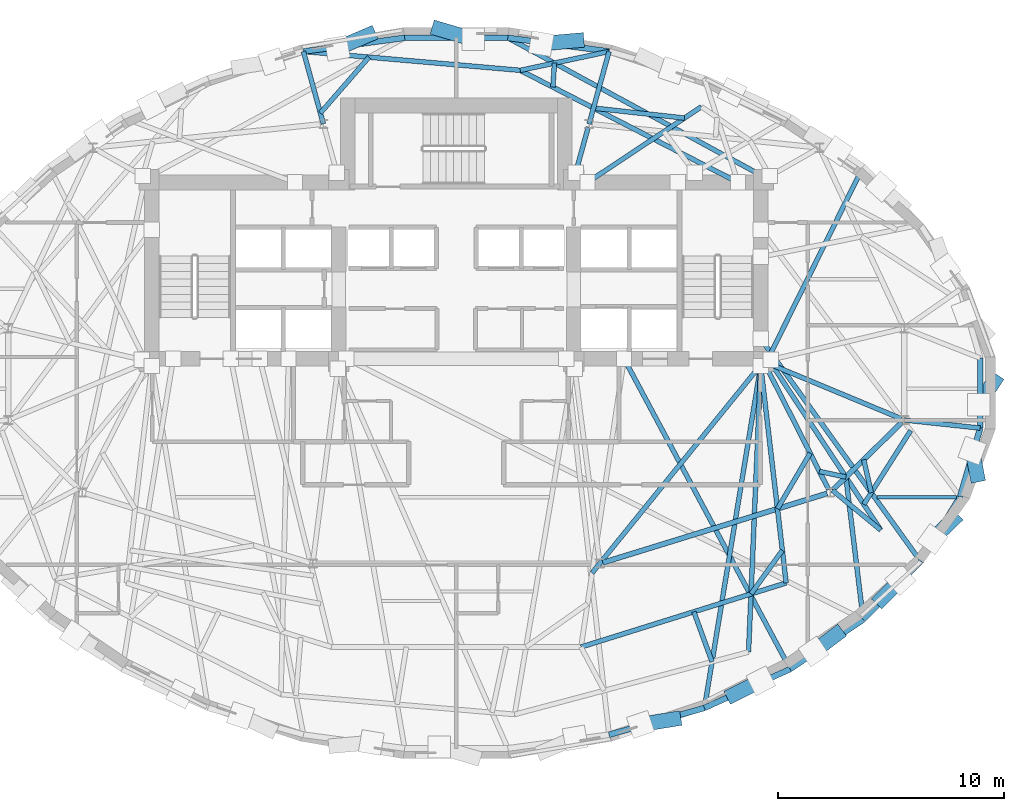
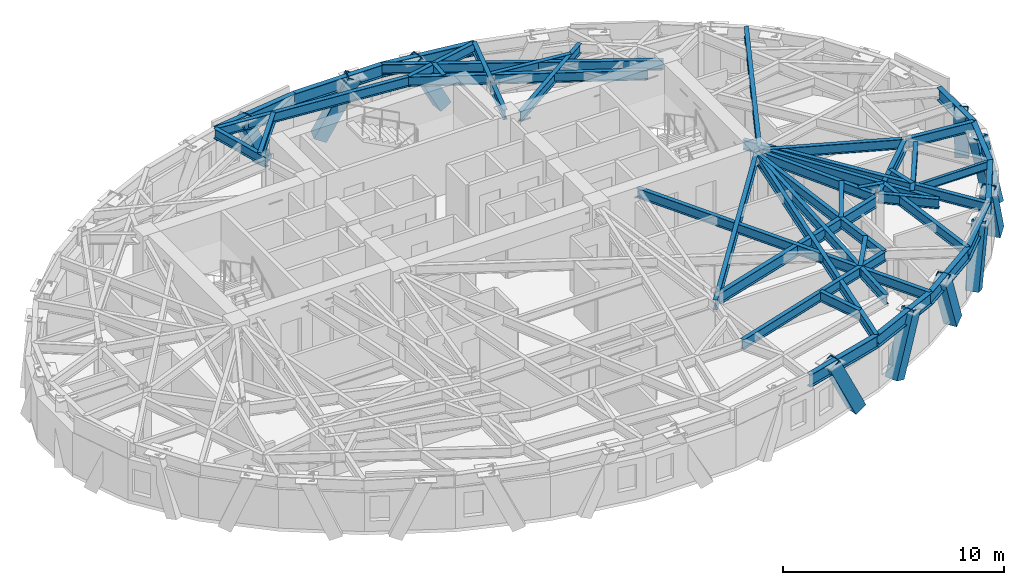
# One storey, part 3 of 12: 44 beams, 10 members.
"""IFC4 building model written with IfcOpenShell, lengths in metres."""

from ifc_helpers import new_model, si_unit, direction, frame, origin, origin_2d, place, context, subcontext, project, spatial, hollow_rectangle, i_section, extrude, material, material_profile, profile_set, type_object, element, save


model = new_model("IFC4")

# Units and contexts
model_context = context("Model", 3, precision=1e-05, world=origin(), true_north=direction((0.0, 1.0)))
body_context = subcontext(model_context, "Body", "Model", "MODEL_VIEW")
ifc_project = project(units=[si_unit("LENGTHUNIT", "METRE"), si_unit("AREAUNIT", "SQUARE_METRE"), si_unit("VOLUMEUNIT", "CUBIC_METRE"), si_unit("PLANEANGLEUNIT", "RADIAN"), si_unit("MASSUNIT", "GRAM", prefix="KILO")], contexts=[model_context])

# Site, building, storey
site_placement = place(None, origin())
site = spatial("IfcSite", under=ifc_project, at=site_placement, CompositionType="ELEMENT")
building_placement = place(site_placement, origin())
building = spatial("IfcBuilding", under=site, at=building_placement, Name="Keldmark Tower", CompositionType="ELEMENT")
storey_placement = place(building_placement, frame((0.0, 0.0, 198.199951171875)))
storey = spatial("IfcBuildingStorey", under=building, at=storey_placement, Name="L55", CompositionType="ELEMENT", Elevation=198.199951171875)

# Beam
ifc_material_1 = material(Name="Steel ASTM A992 Grade 50", Category="steel")
ifc_material_profile_1 = material_profile(ifc_material_1, i_section(OverallWidth=0.153076171875, OverallDepth=0.455078125, WebThickness=0.008056640625, FlangeThickness=0.01318359375, at=origin_2d()), Name="W18X40")
ifc_profile_set_1 = profile_set([ifc_material_profile_1], Name="Steel ASTM A992 Grade 50")
beam_type_1 = type_object("IfcBeamType", Name="Composite Floor Joist W18X40", PredefinedType="JOIST", material=ifc_profile_set_1)
beam_1_placement = place(storey_placement, frame((18.623779296875, -4.60009765625, 2.732666015625), z_axis=(1.0, 0.0, 0.0), x_axis=(0.0, 1.0, 0.0)))
element("IfcBeam", 1, at=beam_1_placement, inside=storey, type_object=beam_type_1, Name="L55 Composite Floor Joist J06", PredefinedType="JOIST", context=body_context, shape_type="SweptSolid", body=[
    extrude(i_section(OverallWidth=0.153076171875, OverallDepth=0.455078125, WebThickness=0.008056640625, FlangeThickness=0.01318359375, at=origin_2d()), origin(), (0.0, 0.0, 1.0), 3.5244140625),
])

# Members
ifc_material_2 = material(Name="Steel ASTM A572 Grade 50", Category="steel")
ifc_material_profile_2 = material_profile(ifc_material_2, hollow_rectangle(XDim=0.64990234375, YDim=0.64990234375, WallThickness=0.0400390625, at=origin_2d()), Name="BOX650X650X40")
ifc_profile_set_2 = profile_set([ifc_material_profile_2], Name="Steel ASTM A572 Grade 50")
member_type = type_object("IfcMemberType", Name="Diagrid Zone 3 Brace BOX650X650X40", PredefinedType="BRACE", material=ifc_profile_set_2)
member_1_placement = place(storey_placement, frame((5.36181640625, 15.60693359375, -0.260009765625), z_axis=(-0.45871670999, -0.040614813853, 0.887653883488), x_axis=(0.088195058336, -0.996103223409, 0.0)))
element("IfcMember", 2, at=member_1_placement, inside=storey, type_object=member_type, Name="L55 Perimeter Diagrid Brace 04A", PredefinedType="BRACE", context=body_context, shape_type="SweptSolid", body=[
    extrude(hollow_rectangle(XDim=0.64990234375, YDim=0.64990234375, WallThickness=0.0400390625, at=origin_2d()), origin(), (0.0, 0.0, 1.0), 3.492431640625),
])
member_2_placement = place(storey_placement, frame((-0.789306640625, 16.119384765625, -0.260009765625), z_axis=(0.442172343698, -0.13026857099, 0.887419696582), x_axis=(0.282601329216, 0.95923745169, 0.0)))
element("IfcMember", 3, at=member_2_placement, inside=storey, type_object=member_type, Name="L55 Perimeter Diagrid Brace 04B", PredefinedType="BRACE", context=body_context, shape_type="SweptSolid", body=[
    extrude(hollow_rectangle(XDim=0.64990234375, YDim=0.64990234375, WallThickness=0.0400390625, at=origin_2d()), origin(), (0.0, 0.0, 1.0), 3.493408203125),
])
member_3_placement = place(storey_placement, frame((-3.85888671875, 15.862060546875, -0.260009765625), z_axis=(-0.406640557297, -0.173759904629, 0.896911897961), x_axis=(0.392935907268, -0.919565861034, 0.0)))
element("IfcMember", 4, at=member_3_placement, inside=storey, type_object=member_type, Name="L55 Perimeter Diagrid Brace 05A", PredefinedType="BRACE", context=body_context, shape_type="SweptSolid", body=[
    extrude(hollow_rectangle(XDim=0.64990234375, YDim=0.64990234375, WallThickness=0.0400390625, at=origin_2d()), origin(), (0.0, 0.0, 1.0), 3.456298828125),
])
member_4_placement = place(storey_placement, frame((9.650634765625, -14.426513671875, -0.260009765625), z_axis=(-0.433973187731, -0.069746954051, 0.898221929554), x_axis=(0.158680896845, -0.987329921038, 0.0)))
element("IfcMember", 5, at=member_4_placement, inside=storey, type_object=member_type, Name="L55 Perimeter Diagrid Brace 13B", PredefinedType="BRACE", context=body_context, shape_type="SweptSolid", body=[
    extrude(hollow_rectangle(XDim=0.64990234375, YDim=0.64990234375, WallThickness=0.0400390625, at=origin_2d()), origin(), (0.0, 0.0, 1.0), 3.451416015625),
])
member_5_placement = place(storey_placement, frame((12.252197265625, -13.351806640625, -0.260009765625), z_axis=(0.363876973738, 0.181938486869, 0.913505301013), x_axis=(-0.4472135955, 0.894427191, 0.0)))
element("IfcMember", 6, at=member_5_placement, inside=storey, type_object=member_type, Name="L55 Perimeter Diagrid Brace 14A", PredefinedType="BRACE", context=body_context, shape_type="SweptSolid", body=[
    extrude(hollow_rectangle(XDim=0.64990234375, YDim=0.64990234375, WallThickness=0.0400390625, at=origin_2d()), origin(), (0.0, 0.0, 1.0), 3.3935546875),
])
member_6_placement = place(storey_placement, frame((16.83837890625, -10.66796875, -0.260009765625), z_axis=(-0.303816336253, -0.22939152905, 0.924702741548), x_axis=(0.602567857834, -0.798067651709, 0.0)))
element("IfcMember", 7, at=member_6_placement, inside=storey, type_object=member_type, Name="L55 Perimeter Diagrid Brace 14B", PredefinedType="BRACE", context=body_context, shape_type="SweptSolid", body=[
    extrude(hollow_rectangle(XDim=0.64990234375, YDim=0.64990234375, WallThickness=0.0400390625, at=origin_2d()), origin(), (0.0, 0.0, 1.0), 3.3525390625),
])
member_7_placement = place(storey_placement, frame((18.814208984375, -9.118408203125, -0.260009765625), z_axis=(0.253466868782, 0.255817865826, 0.932905014433), x_axis=(-0.710363409805, 0.703835084384, 0.0)))
element("IfcMember", 8, at=member_7_placement, inside=storey, type_object=member_type, Name="L55 Perimeter Diagrid Brace 15A", PredefinedType="BRACE", context=body_context, shape_type="SweptSolid", body=[
    extrude(hollow_rectangle(XDim=0.64990234375, YDim=0.64990234375, WallThickness=0.0400390625, at=origin_2d()), origin(), (0.0, 0.0, 1.0), 3.322998046875),
])
member_8_placement = place(storey_placement, frame((21.99169921875, -5.5859375, -0.260009765625), z_axis=(-0.27261124795, -0.262698111661, 0.925566210285), x_axis=(0.693893241041, -0.720077891646, 0.0)))
element("IfcMember", 9, at=member_8_placement, inside=storey, type_object=member_type, Name="L55 Perimeter Diagrid Brace 15B", PredefinedType="BRACE", context=body_context, shape_type="SweptSolid", body=[
    extrude(hollow_rectangle(XDim=0.64990234375, YDim=0.64990234375, WallThickness=0.0400390625, at=origin_2d()), origin(), (0.0, 0.0, 1.0), 3.349365234375),
])
member_9_placement = place(storey_placement, frame((23.047607421875, -3.629638671875, -0.260009765625), z_axis=(-0.065046149954, 0.329829223315, 0.941797049169), x_axis=(-0.981103244561, -0.19348494389, 0.0)))
element("IfcMember", 10, at=member_9_placement, inside=storey, type_object=member_type, Name="L55 Perimeter Diagrid Brace 16A", PredefinedType="BRACE", context=body_context, shape_type="SweptSolid", body=[
    extrude(hollow_rectangle(XDim=0.64990234375, YDim=0.64990234375, WallThickness=0.0400390625, at=origin_2d()), origin(), (0.0, 0.0, 1.0), 3.291748046875),
])
member_10_placement = place(storey_placement, frame((23.8046875, 0.537109375, -0.260009765625), z_axis=(-0.202461489858, -0.313446333992, 0.927771922851), x_axis=(0.840005912308, -0.542577245456, 0.0)))
element("IfcMember", 11, at=member_10_placement, inside=storey, type_object=member_type, Name="L55 Perimeter Diagrid Brace 16B", PredefinedType="BRACE", context=body_context, shape_type="SweptSolid", body=[
    extrude(hollow_rectangle(XDim=0.64990234375, YDim=0.64990234375, WallThickness=0.0400390625, at=origin_2d()), origin(), (0.0, 0.0, 1.0), 3.341552734375),
])

# Beams
ifc_material_3 = material(Name="Steel ASTM A992 Grade 50", Category="steel")
ifc_material_profile_3 = material_profile(ifc_material_3, i_section(OverallWidth=0.22900390625, OverallDepth=0.612060546875, WebThickness=0.011962890625, FlangeThickness=0.01953125, at=origin_2d()), Name="W24X84")
ifc_profile_set_3 = profile_set([ifc_material_profile_3], Name="Steel ASTM A992 Grade 50")
beam_type_2 = type_object("IfcBeamType", Name="Primary Floor Girder W24X84", PredefinedType="BEAM", material=ifc_profile_set_3)
beam_2_placement = place(storey_placement, frame((6.485107421875, -7.5048828125, 2.654052734375), z_axis=(0.955494563145, 0.295008711398, 0.0), x_axis=(-0.295008711398, 0.955494563145, 0.0)))
element("IfcBeam", 12, at=beam_2_placement, inside=storey, type_object=beam_type_2, Name="L55 Floor Ring Girder FG-R10", PredefinedType="BEAM", context=body_context, shape_type="SweptSolid", body=[
    extrude(i_section(OverallWidth=0.22900390625, OverallDepth=0.612060546875, WebThickness=0.011962890625, FlangeThickness=0.01953125, at=origin_2d()), origin(), (0.0, 0.0, 1.0), 10.39013671875),
])
beam_3_placement = place(storey_placement, frame((16.646728515625, -4.300537109375, 2.654052734375), z_axis=(0.714964509815, 0.699160746684, 0.0), x_axis=(-0.699160746684, 0.714964509815, 0.0)))
element("IfcBeam", 13, at=beam_3_placement, inside=storey, type_object=beam_type_2, Name="L55 Floor Ring Girder FG-R11", PredefinedType="BEAM", context=body_context, shape_type="SweptSolid", body=[
    extrude(i_section(OverallWidth=0.22900390625, OverallDepth=0.612060546875, WebThickness=0.011962890625, FlangeThickness=0.01953125, at=origin_2d()), origin(), (0.0, 0.0, 1.0), 4.31005859375),
])
ifc_material_4 = material(Name="Steel ASTM A992 Grade 50", Category="steel")
ifc_material_profile_4 = material_profile(ifc_material_4, i_section(OverallWidth=0.2099609375, OverallDepth=0.537109375, WebThickness=0.010986328125, FlangeThickness=0.017333984375, at=origin_2d()), Name="W21X68")
ifc_profile_set_4 = profile_set([ifc_material_profile_4], Name="Steel ASTM A992 Grade 50")
beam_type_3 = type_object("IfcBeamType", Name="Radial Tie Girder W21X68", PredefinedType="BEAM", material=ifc_profile_set_4)
beam_4_placement = place(storey_placement, frame((5.843017578125, 11.7802734375, 2.691650390625), z_axis=(-0.265992411, -0.963975122755, 0.0), x_axis=(0.963975122755, -0.265992411, 0.0)))
element("IfcBeam", 14, at=beam_4_placement, inside=storey, type_object=beam_type_3, Name="L55 Floor Radial Girder FG-C03", PredefinedType="BEAM", context=body_context, shape_type="SweptSolid", body=[
    extrude(i_section(OverallWidth=0.2099609375, OverallDepth=0.537109375, WebThickness=0.010986328125, FlangeThickness=0.017333984375, at=origin_2d()), origin(), (0.0, 0.0, 1.0), 2.09716796875),
])
beam_5_placement = place(storey_placement, frame((16.4833984375, -4.273681640625, 2.691650390625), z_axis=(-0.453036691775, 0.891491870914, 0.0), x_axis=(-0.891491870914, -0.453036691775, 0.0)))
element("IfcBeam", 15, at=beam_5_placement, inside=storey, type_object=beam_type_3, Name="L55 Floor Radial Girder FG-C11", PredefinedType="BEAM", context=body_context, shape_type="SweptSolid", body=[
    extrude(i_section(OverallWidth=0.2099609375, OverallDepth=0.537109375, WebThickness=0.010986328125, FlangeThickness=0.017333984375, at=origin_2d()), origin(), (0.0, 0.0, 1.0), 6.044189453125),
])
beam_6_placement = place(storey_placement, frame((19.69921875, -1.135498046875, 2.691650390625), z_axis=(-0.923393794893, 0.383854008124, 0.0), x_axis=(-0.383854008124, -0.923393794893, 0.0)))
element("IfcBeam", 16, at=beam_6_placement, inside=storey, type_object=beam_type_3, Name="L55 Floor Radial Girder FG-C12", PredefinedType="BEAM", context=body_context, shape_type="SweptSolid", body=[
    extrude(i_section(OverallWidth=0.2099609375, OverallDepth=0.537109375, WebThickness=0.010986328125, FlangeThickness=0.017333984375, at=origin_2d()), origin(), (0.0, 0.0, 1.0), 6.28515625),
])
beam_7_placement = place(storey_placement, frame((13.60009765625, 1.39990234375, 2.691650390625), z_axis=(-0.629890512815, -0.776683939492, 0.0), x_axis=(0.776683939492, -0.629890512815, 0.0)))
element("IfcBeam", 17, at=beam_7_placement, inside=storey, type_object=beam_type_3, Name="L55 Framing Pin Header PH-003", PredefinedType="BEAM", context=body_context, shape_type="SweptSolid", body=[
    extrude(i_section(OverallWidth=0.2099609375, OverallDepth=0.537109375, WebThickness=0.010986328125, FlangeThickness=0.017333984375, at=origin_2d()), origin(), (0.0, 0.0, 1.0), 12.0478515625),
])
beam_8_placement = place(storey_placement, frame((15.661865234375, -2.6572265625, 2.691650390625), z_axis=(-0.506739777722, -0.862099064884, 0.0), x_axis=(0.862099064884, -0.506739777722, 0.0)))
element("IfcBeam", 18, at=beam_8_placement, inside=storey, type_object=beam_type_3, Name="L55 Framing Pin Header PH-004", PredefinedType="BEAM", context=body_context, shape_type="SweptSolid", body=[
    extrude(i_section(OverallWidth=0.2099609375, OverallDepth=0.537109375, WebThickness=0.010986328125, FlangeThickness=0.017333984375, at=origin_2d()), origin(), (0.0, 0.0, 1.0), 2.8544921875),
])
beam_9_placement = place(storey_placement, frame((13.47509765625, 1.199951171875, 2.691650390625), z_axis=(0.1163811046, -0.993204630724, 0.0), x_axis=(0.993204630724, 0.1163811046, 0.0)))
element("IfcBeam", 19, at=beam_9_placement, inside=storey, type_object=beam_type_3, Name="L55 Sub-Ring Step Girder STP1-M11", PredefinedType="BEAM", context=body_context, shape_type="SweptSolid", body=[
    extrude(i_section(OverallWidth=0.2099609375, OverallDepth=0.537109375, WebThickness=0.010986328125, FlangeThickness=0.017333984375, at=origin_2d()), origin(), (0.0, 0.0, 1.0), 9.66650390625),
])
beam_10_placement = place(storey_placement, frame((5.522216796875, -11.238525390625, 2.691650390625), z_axis=(0.954455767336, 0.298352456331, 0.0), x_axis=(-0.298352456331, 0.954455767336, 0.0)))
element("IfcBeam", 20, at=beam_10_placement, inside=storey, type_object=beam_type_3, Name="L55 Perimeter Collector Ring Beam CRG1-M10", PredefinedType="BEAM", context=body_context, shape_type="SweptSolid", body=[
    extrude(i_section(OverallWidth=0.2099609375, OverallDepth=0.537109375, WebThickness=0.010986328125, FlangeThickness=0.017333984375, at=origin_2d()), origin(), (0.0, 0.0, 1.0), 9.510986328125),
])
beam_11_placement = place(storey_placement, frame((14.431396484375, -6.960693359375, 2.691650390625), z_axis=(-0.584115006613, -0.811670905632, 0.0), x_axis=(0.811670905632, -0.584115006613, 0.0)))
element("IfcBeam", 21, at=beam_11_placement, inside=storey, type_object=beam_type_3, Name="L55 Framing Pin Header PH-008", PredefinedType="BEAM", context=body_context, shape_type="SweptSolid", body=[
    extrude(i_section(OverallWidth=0.2099609375, OverallDepth=0.537109375, WebThickness=0.010986328125, FlangeThickness=0.017333984375, at=origin_2d()), origin(), (0.0, 0.0, 1.0), 2.373291015625),
])
beam_12_placement = place(storey_placement, frame((13.47509765625, 1.199951171875, 2.691650390625), z_axis=(-0.042586746163, -0.999092772995, 0.0), x_axis=(0.999092772995, -0.042586746163, 0.0)))
element("IfcBeam", 22, at=beam_12_placement, inside=storey, type_object=beam_type_3, Name="L55 Sub-Ring Step Girder STP2-M11", PredefinedType="BEAM", context=body_context, shape_type="SweptSolid", body=[
    extrude(i_section(OverallWidth=0.2099609375, OverallDepth=0.537109375, WebThickness=0.010986328125, FlangeThickness=0.017333984375, at=origin_2d()), origin(), (0.0, 0.0, 1.0), 12.66943359375),
])
beam_13_placement = place(storey_placement, frame((13.800048828125, 1.52490234375, 2.691650390625), z_axis=(0.443977627174, 0.896037871169, 0.0), x_axis=(-0.896037871169, 0.443977627174, 0.0)))
element("IfcBeam", 23, at=beam_13_placement, inside=storey, type_object=beam_type_3, Name="L55 Perimeter Radial Tie Girder RT-04", PredefinedType="BEAM", context=body_context, shape_type="SweptSolid", body=[
    extrude(i_section(OverallWidth=0.2099609375, OverallDepth=0.537109375, WebThickness=0.010986328125, FlangeThickness=0.017333984375, at=origin_2d()), origin(), (0.0, 0.0, 1.0), 9.484619140625),
])
beam_14_placement = place(storey_placement, frame((5.80712890625, 9.324951171875, 2.691650390625), z_axis=(0.833152500952, 0.553043316709, 0.0), x_axis=(-0.553043316709, 0.833152500952, 0.0)))
element("IfcBeam", 24, at=beam_14_placement, inside=storey, type_object=beam_type_3, Name="L55 Intermediate Radial Step Girder RT-06M", PredefinedType="BEAM", context=body_context, shape_type="SweptSolid", body=[
    extrude(i_section(OverallWidth=0.2099609375, OverallDepth=0.537109375, WebThickness=0.010986328125, FlangeThickness=0.017333984375, at=origin_2d()), origin(), (0.0, 0.0, 1.0), 6.056640625),
])
for number, where, z_axis, x_axis, name in (
    (25, (5.880126953125, 11.915283203125, 2.691650390625), (0.265813668365, 0.964024425889, 0.0), (-0.964024425889, 0.265813668365, 0.0), "L55 Perimeter Column Bracket RT-07"),
    (26, (-5.880126953125, 11.915283203125, 2.691650390625), (-0.265813668365, 0.964024425889, 0.0), (-0.964024425889, -0.265813668365, 0.0), "L55 Perimeter Column Bracket RT-10"),
):
    element("IfcBeam", number, at=place(storey_placement, frame(where, z_axis=z_axis, x_axis=x_axis)), inside=storey, type_object=beam_type_3, Name=name, PredefinedType="BEAM", context=body_context, shape_type="SweptSolid", body=[
        extrude(i_section(OverallWidth=0.2099609375, OverallDepth=0.537109375, WebThickness=0.010986328125, FlangeThickness=0.017333984375, at=origin_2d()), origin(), (0.0, 0.0, 1.0), 3.323974609375),
    ])
beam_15_placement = place(storey_placement, frame((10.514892578125, -9.677734375, 2.691650390625), z_axis=(0.342251131078, -0.939608515966, 0.0), x_axis=(0.939608515966, 0.342251131078, 0.0)))
element("IfcBeam", 27, at=beam_15_placement, inside=storey, type_object=beam_type_3, Name="L55 Framing Pin Header PH-025", PredefinedType="BEAM", context=body_context, shape_type="SweptSolid", body=[
    extrude(i_section(OverallWidth=0.2099609375, OverallDepth=0.537109375, WebThickness=0.010986328125, FlangeThickness=0.017333984375, at=origin_2d()), origin(), (0.0, 0.0, 1.0), 2.353271484375),
])
beam_16_placement = place(storey_placement, frame((13.47509765625, 1.199951171875, 2.691650390625), z_axis=(-0.162452448919, -0.986716373554, 0.0), x_axis=(0.986716373554, -0.162452448919, 0.0)))
element("IfcBeam", 28, at=beam_16_placement, inside=storey, type_object=beam_type_3, Name="L55 Perimeter Radial Tie Girder RT-27", PredefinedType="BEAM", context=body_context, shape_type="SweptSolid", body=[
    extrude(i_section(OverallWidth=0.2099609375, OverallDepth=0.537109375, WebThickness=0.010986328125, FlangeThickness=0.017333984375, at=origin_2d()), origin(), (0.0, 0.0, 1.0), 15.338134765625),
])
beam_17_placement = place(storey_placement, frame((7.425048828125, 1.52490234375, 2.691650390625), z_axis=(0.472047943943, -0.881572877656, 0.0), x_axis=(0.881572877656, 0.472047943943, 0.0)))
element("IfcBeam", 29, at=beam_17_placement, inside=storey, type_object=beam_type_3, Name="L55 Perimeter Radial Tie Girder RT-28", PredefinedType="BEAM", context=body_context, shape_type="SweptSolid", body=[
    extrude(i_section(OverallWidth=0.2099609375, OverallDepth=0.537109375, WebThickness=0.010986328125, FlangeThickness=0.017333984375, at=origin_2d()), origin(), (0.0, 0.0, 1.0), 15.583984375),
])
beam_18_placement = place(storey_placement, frame((16.072509765625, -3.46533203125, 2.691650390625), z_axis=(0.977918516254, -0.208986543986, 0.0), x_axis=(0.208986543986, 0.977918516254, 0.0)))
element("IfcBeam", 30, at=beam_18_placement, inside=storey, type_object=beam_type_3, Name="L55 Framing Pin Header PH-026", PredefinedType="BEAM", context=body_context, shape_type="SweptSolid", body=[
    extrude(i_section(OverallWidth=0.2099609375, OverallDepth=0.537109375, WebThickness=0.010986328125, FlangeThickness=0.017333984375, at=origin_2d()), origin(), (0.0, 0.0, 1.0), 1.198486328125),
])
beam_19_placement = place(storey_placement, frame((13.800048828125, 1.52490234375, 2.691650390625), z_axis=(0.54925140901, -0.835657160384, 0.0), x_axis=(0.835657160384, 0.54925140901, 0.0)))
element("IfcBeam", 31, at=beam_19_placement, inside=storey, type_object=beam_type_3, Name="L55 Intermediate Radial Step Girder RT-30M", PredefinedType="BEAM", context=body_context, shape_type="SweptSolid", body=[
    extrude(i_section(OverallWidth=0.2099609375, OverallDepth=0.537109375, WebThickness=0.010986328125, FlangeThickness=0.017333984375, at=origin_2d()), origin(), (0.0, 0.0, 1.0), 9.07763671875),
])
beam_20_placement = place(storey_placement, frame((16.646728515625, -4.300537109375, 2.691650390625), z_axis=(0.772179479186, -0.635404478993, 0.0), x_axis=(0.635404478993, 0.772179479186, 0.0)))
element("IfcBeam", 32, at=beam_20_placement, inside=storey, type_object=beam_type_3, Name="L55 Local Collector Chord RT-30C", PredefinedType="BEAM", context=body_context, shape_type="SweptSolid", body=[
    extrude(i_section(OverallWidth=0.2099609375, OverallDepth=0.537109375, WebThickness=0.010986328125, FlangeThickness=0.017333984375, at=origin_2d()), origin(), (0.0, 0.0, 1.0), 2.770263671875),
])
beam_21_placement = place(storey_placement, frame((18.0380859375, -4.9228515625, 2.691650390625), z_axis=(0.535988855771, 0.844225056776, 0.0), x_axis=(-0.844225056776, 0.535988855771, 0.0)))
element("IfcBeam", 33, at=beam_21_placement, inside=storey, type_object=beam_type_3, Name="L55 Framing Pin Header PH-027", PredefinedType="BEAM", context=body_context, shape_type="SweptSolid", body=[
    extrude(i_section(OverallWidth=0.2099609375, OverallDepth=0.537109375, WebThickness=0.010986328125, FlangeThickness=0.017333984375, at=origin_2d()), origin(), (0.0, 0.0, 1.0), 3.86767578125),
])
beam_22_placement = place(storey_placement, frame((19.828369140625, -1.189208984375, 2.691650390625), z_axis=(0.994326636507, -0.106369826231, 0.0), x_axis=(0.106369826231, 0.994326636507, 0.0)))
element("IfcBeam", 34, at=beam_22_placement, inside=storey, type_object=beam_type_3, Name="L55 Perimeter Column Bracket RT-32", PredefinedType="BEAM", context=body_context, shape_type="SweptSolid", body=[
    extrude(i_section(OverallWidth=0.2099609375, OverallDepth=0.537109375, WebThickness=0.010986328125, FlangeThickness=0.017333984375, at=origin_2d()), origin(), (0.0, 0.0, 1.0), 3.378662109375),
])
beam_23_placement = place(storey_placement, frame((10.096435546875, 12.172119140625, 2.691650390625), z_axis=(-0.993949029024, 0.109842285584, 0.0), x_axis=(-0.109842285584, -0.993949029024, 0.0)))
element("IfcBeam", 35, at=beam_23_placement, inside=storey, type_object=beam_type_3, Name="L55 Framing Pin Header PH-028", PredefinedType="BEAM", context=body_context, shape_type="SweptSolid", body=[
    extrude(i_section(OverallWidth=0.2099609375, OverallDepth=0.537109375, WebThickness=0.010986328125, FlangeThickness=0.017333984375, at=origin_2d()), origin(), (0.0, 0.0, 1.0), 4.04736328125),
])
beam_24_placement = place(storey_placement, frame((12.468017578125, 9.324951171875, 2.691650390625), z_axis=(-0.889111271354, 0.457691104513, 0.0), x_axis=(-0.457691104513, -0.889111271354, 0.0)))
element("IfcBeam", 36, at=beam_24_placement, inside=storey, type_object=beam_type_3, Name="L55 Crown Step Radial Girder RT-08RN2", PredefinedType="BEAM", context=body_context, shape_type="SweptSolid", body=[
    extrude(i_section(OverallWidth=0.2099609375, OverallDepth=0.537109375, WebThickness=0.010986328125, FlangeThickness=0.017333984375, at=origin_2d()), origin(), (0.0, 0.0, 1.0), 10.8359375),
])
beam_25_placement = place(storey_placement, frame((2.833740234375, 14.284423828125, 2.691650390625), z_axis=(0.978154063126, 0.20788128533, 0.0), x_axis=(-0.20788128533, 0.978154063126, 0.0)))
element("IfcBeam", 37, at=beam_25_placement, inside=storey, type_object=beam_type_3, Name="L55 Crown Step Collector Chord RT-08RP2", PredefinedType="BEAM", context=body_context, shape_type="SweptSolid", body=[
    extrude(i_section(OverallWidth=0.2099609375, OverallDepth=0.537109375, WebThickness=0.010986328125, FlangeThickness=0.017333984375, at=origin_2d()), origin(), (0.0, 0.0, 1.0), 4.017822265625),
])
beam_26_placement = place(storey_placement, frame((4.27880859375, 13.54052734375, 2.691650390625), z_axis=(0.06155202722, 0.99810387633, 0.0), x_axis=(-0.99810387633, 0.06155202722, 0.0)))
element("IfcBeam", 38, at=beam_26_placement, inside=storey, type_object=beam_type_3, Name="L55 Framing Pin Header PH-029", PredefinedType="BEAM", context=body_context, shape_type="SweptSolid", body=[
    extrude(i_section(OverallWidth=0.2099609375, OverallDepth=0.537109375, WebThickness=0.010986328125, FlangeThickness=0.017333984375, at=origin_2d()), origin(), (0.0, 0.0, 1.0), 1.06689453125),
])
beam_27_placement = place(storey_placement, frame((13.47509765625, 9.64990234375, 2.691650390625), z_axis=(-0.87889821758, 0.477009353298, 0.0), x_axis=(-0.477009353298, -0.87889821758, 0.0)))
element("IfcBeam", 39, at=beam_27_placement, inside=storey, type_object=beam_type_3, Name="L55 Perimeter Radial Tie Girder RT-08R", PredefinedType="BEAM", context=body_context, shape_type="SweptSolid", body=[
    extrude(i_section(OverallWidth=0.2099609375, OverallDepth=0.537109375, WebThickness=0.010986328125, FlangeThickness=0.017333984375, at=origin_2d()), origin(), (0.0, 0.0, 1.0), 12.7333984375),
])
beam_28_placement = place(storey_placement, frame((2.833740234375, 14.284423828125, 2.691650390625), z_axis=(-0.996234785265, 0.086696324194, 0.0), x_axis=(-0.086696324194, -0.996234785265, 0.0)))
element("IfcBeam", 40, at=beam_28_placement, inside=storey, type_object=beam_type_3, Name="L55 Straddling Support Chord RT-09RB", PredefinedType="BEAM", context=body_context, shape_type="SweptSolid", body=[
    extrude(i_section(OverallWidth=0.2099609375, OverallDepth=0.537109375, WebThickness=0.010986328125, FlangeThickness=0.017333984375, at=origin_2d()), origin(), (0.0, 0.0, 1.0), 9.6337890625),
])
beam_29_placement = place(storey_placement, frame((-6.0126953125, 12.39599609375, 2.691650390625), z_axis=(0.656444376503, 0.754374429946, 0.0), x_axis=(-0.754374429946, 0.656444376503, 0.0)))
element("IfcBeam", 41, at=beam_29_placement, inside=storey, type_object=beam_type_3, Name="L55 Framing Pin Header PH-030", PredefinedType="BEAM", context=body_context, shape_type="SweptSolid", body=[
    extrude(i_section(OverallWidth=0.2099609375, OverallDepth=0.537109375, WebThickness=0.010986328125, FlangeThickness=0.017333984375, at=origin_2d()), origin(), (0.0, 0.0, 1.0), 3.27587890625),
])
beam_30_placement = place(storey_placement, frame((18.010986328125, -10.0234375, 2.691650390625), z_axis=(-0.120610199937, 0.99269994443, 0.0), x_axis=(-0.99269994443, -0.120610199937, 0.0)))
element("IfcBeam", 42, at=beam_30_placement, inside=storey, type_object=beam_type_3, Name="L55 Straddling Support Chord RT-30RB", PredefinedType="BEAM", context=body_context, shape_type="SweptSolid", body=[
    extrude(i_section(OverallWidth=0.2099609375, OverallDepth=0.537109375, WebThickness=0.010986328125, FlangeThickness=0.017333984375, at=origin_2d()), origin(), (0.0, 0.0, 1.0), 6.35400390625),
])
beam_31_placement = place(storey_placement, frame((18.033447265625, -2.944580078125, 2.691650390625), z_axis=(0.221599991129, -0.975137653837, 0.0), x_axis=(0.975137653837, 0.221599991129, 0.0)))
element("IfcBeam", 43, at=beam_31_placement, inside=storey, type_object=beam_type_3, Name="L55 Framing Pin Header PH-032", PredefinedType="BEAM", context=body_context, shape_type="SweptSolid", body=[
    extrude(i_section(OverallWidth=0.2099609375, OverallDepth=0.537109375, WebThickness=0.010986328125, FlangeThickness=0.017333984375, at=origin_2d()), origin(), (0.0, 0.0, 1.0), 1.49951171875),
])
beam_32_placement = place(storey_placement, frame((13.47509765625, 2.406982421875, 2.691650390625), z_axis=(0.583117563597, -0.812387781189, 0.0), x_axis=(0.812387781189, 0.583117563597, 0.0)))
element("IfcBeam", 44, at=beam_32_placement, inside=storey, type_object=beam_type_3, Name="L55 Perimeter Radial Tie Girder RT-30R", PredefinedType="BEAM", context=body_context, shape_type="SweptSolid", body=[
    extrude(i_section(OverallWidth=0.2099609375, OverallDepth=0.537109375, WebThickness=0.010986328125, FlangeThickness=0.017333984375, at=origin_2d()), origin(), (0.0, 0.0, 1.0), 12.130859375),
])
ifc_material_5 = material(Name="Steel ASTM A992 Grade 50", Category="steel")
ifc_material_profile_5 = material_profile(ifc_material_5, i_section(OverallWidth=0.256103515625, OverallDepth=0.693115234375, WebThickness=0.014404296875, FlangeThickness=0.023681640625, at=origin_2d()), Name="W27X114")
ifc_profile_set_5 = profile_set([ifc_material_profile_5], Name="Steel ASTM A992 Grade 50")
beam_type_4 = type_object("IfcBeamType", Name="Spandrel Ring Beam W27X114", PredefinedType="SPANDREL", material=ifc_profile_set_5)
beam_33_placement = place(storey_placement, frame((6.763671875, 15.11962890625, 2.613525390625), z_axis=(-0.991026298245, 0.133667034777, 0.0), x_axis=(-0.133667034777, -0.991026298245, 0.0)))
element("IfcBeam", 45, at=beam_33_placement, inside=storey, type_object=beam_type_4, Name="L55 Perimeter Spandrel Ring Beam SRB-07", PredefinedType="SPANDREL", context=body_context, shape_type="SweptSolid", body=[
    extrude(i_section(OverallWidth=0.256103515625, OverallDepth=0.693115234375, WebThickness=0.014404296875, FlangeThickness=0.023681640625, at=origin_2d()), origin(), (0.0, 0.0, 1.0), 4.5205078125),
])
beam_34_placement = place(storey_placement, frame((2.28369140625, 15.723876953125, 2.613525390625), z_axis=(-1.0, 0.0, 0.0), x_axis=(0.0, -1.0, 0.0)))
element("IfcBeam", 46, at=beam_34_placement, inside=storey, type_object=beam_type_4, Name="L55 Perimeter Spandrel Ring Beam SRB-08", PredefinedType="SPANDREL", context=body_context, shape_type="SweptSolid", body=[
    extrude(i_section(OverallWidth=0.256103515625, OverallDepth=0.693115234375, WebThickness=0.014404296875, FlangeThickness=0.023681640625, at=origin_2d()), origin(), (0.0, 0.0, 1.0), 4.5673828125),
])
beam_35_placement = place(storey_placement, frame((-2.28369140625, 15.723876953125, 2.613525390625), z_axis=(-0.991026298245, -0.133667034777, 0.0), x_axis=(0.133667034777, -0.991026298245, 0.0)))
element("IfcBeam", 47, at=beam_35_placement, inside=storey, type_object=beam_type_4, Name="L55 Perimeter Spandrel Ring Beam SRB-09", PredefinedType="SPANDREL", context=body_context, shape_type="SweptSolid", body=[
    extrude(i_section(OverallWidth=0.256103515625, OverallDepth=0.693115234375, WebThickness=0.014404296875, FlangeThickness=0.023681640625, at=origin_2d()), origin(), (0.0, 0.0, 1.0), 4.5205078125),
])
beam_36_placement = place(storey_placement, frame((6.763671875, -15.11962890625, 2.613525390625), z_axis=(0.962739808547, 0.270429401209, 0.0), x_axis=(-0.270429401209, 0.962739808547, 0.0)))
element("IfcBeam", 48, at=beam_36_placement, inside=storey, type_object=beam_type_4, Name="L55 Perimeter Spandrel Ring Beam SRB-26", PredefinedType="SPANDREL", context=body_context, shape_type="SweptSolid", body=[
    extrude(i_section(OverallWidth=0.256103515625, OverallDepth=0.693115234375, WebThickness=0.014404296875, FlangeThickness=0.023681640625, at=origin_2d()), origin(), (0.0, 0.0, 1.0), 4.383056640625),
])
beam_37_placement = place(storey_placement, frame((10.9833984375, -13.934326171875, 2.613525390625), z_axis=(0.910881102331, 0.412668895624, 0.0), x_axis=(-0.412668895624, 0.910881102331, 0.0)))
element("IfcBeam", 49, at=beam_37_placement, inside=storey, type_object=beam_type_4, Name="L55 Perimeter Spandrel Ring Beam SRB-27", PredefinedType="SPANDREL", context=body_context, shape_type="SweptSolid", body=[
    extrude(i_section(OverallWidth=0.256103515625, OverallDepth=0.693115234375, WebThickness=0.014404296875, FlangeThickness=0.023681640625, at=origin_2d()), origin(), (0.0, 0.0, 1.0), 4.169677734375),
])
beam_38_placement = place(storey_placement, frame((14.781494140625, -12.213623046875, 2.613525390625), z_axis=(0.827625248145, 0.5612810781, 0.0), x_axis=(-0.5612810781, 0.827625248145, 0.0)))
element("IfcBeam", 50, at=beam_38_placement, inside=storey, type_object=beam_type_4, Name="L55 Perimeter Spandrel Ring Beam SRB-28", PredefinedType="SPANDREL", context=body_context, shape_type="SweptSolid", body=[
    extrude(i_section(OverallWidth=0.256103515625, OverallDepth=0.693115234375, WebThickness=0.014404296875, FlangeThickness=0.023681640625, at=origin_2d()), origin(), (0.0, 0.0, 1.0), 3.902099609375),
])
beam_39_placement = place(storey_placement, frame((18.010986328125, -10.0234375, 2.613525390625), z_axis=(0.701888492814, 0.712286840855, 0.0), x_axis=(-0.712286840855, 0.701888492814, 0.0)))
element("IfcBeam", 51, at=beam_39_placement, inside=storey, type_object=beam_type_4, Name="L55 Perimeter Spandrel Ring Beam SRB-29", PredefinedType="SPANDREL", context=body_context, shape_type="SweptSolid", body=[
    extrude(i_section(OverallWidth=0.256103515625, OverallDepth=0.693115234375, WebThickness=0.014404296875, FlangeThickness=0.023681640625, at=origin_2d()), origin(), (0.0, 0.0, 1.0), 3.61572265625),
])
beam_40_placement = place(storey_placement, frame((20.548828125, -7.447998046875, 2.613525390625), z_axis=(0.521246781142, 0.853405995497, 0.0), x_axis=(-0.853405995497, 0.521246781142, 0.0)))
element("IfcBeam", 52, at=beam_40_placement, inside=storey, type_object=beam_type_4, Name="L55 Perimeter Spandrel Ring Beam SRB-30", PredefinedType="SPANDREL", context=body_context, shape_type="SweptSolid", body=[
    extrude(i_section(OverallWidth=0.256103515625, OverallDepth=0.693115234375, WebThickness=0.014404296875, FlangeThickness=0.023681640625, at=origin_2d()), origin(), (0.0, 0.0, 1.0), 3.35302734375),
])
beam_41_placement = place(storey_placement, frame((22.296630859375, -4.58642578125, 2.613525390625), z_axis=(0.281477355005, 0.959567870773, 0.0), x_axis=(-0.959567870773, 0.281477355005, 0.0)))
element("IfcBeam", 53, at=beam_41_placement, inside=storey, type_object=beam_type_4, Name="L55 Perimeter Spandrel Ring Beam SRB-31", PredefinedType="SPANDREL", context=body_context, shape_type="SweptSolid", body=[
    extrude(i_section(OverallWidth=0.256103515625, OverallDepth=0.693115234375, WebThickness=0.014404296875, FlangeThickness=0.023681640625, at=origin_2d()), origin(), (0.0, 0.0, 1.0), 3.165771484375),
])
beam_42_placement = place(storey_placement, frame((23.187744140625, -1.548583984375, 2.613525390625), z_axis=(0.0, 1.0, 0.0), x_axis=(-1.0, 0.0, 0.0)))
element("IfcBeam", 54, at=beam_42_placement, inside=storey, type_object=beam_type_4, Name="L55 Perimeter Spandrel Ring Beam SRB-32", PredefinedType="SPANDREL", context=body_context, shape_type="SweptSolid", body=[
    extrude(i_section(OverallWidth=0.256103515625, OverallDepth=0.693115234375, WebThickness=0.014404296875, FlangeThickness=0.023681640625, at=origin_2d()), origin(), (0.0, 0.0, 1.0), 3.09716796875),
])

save(model, "model.ifc")
